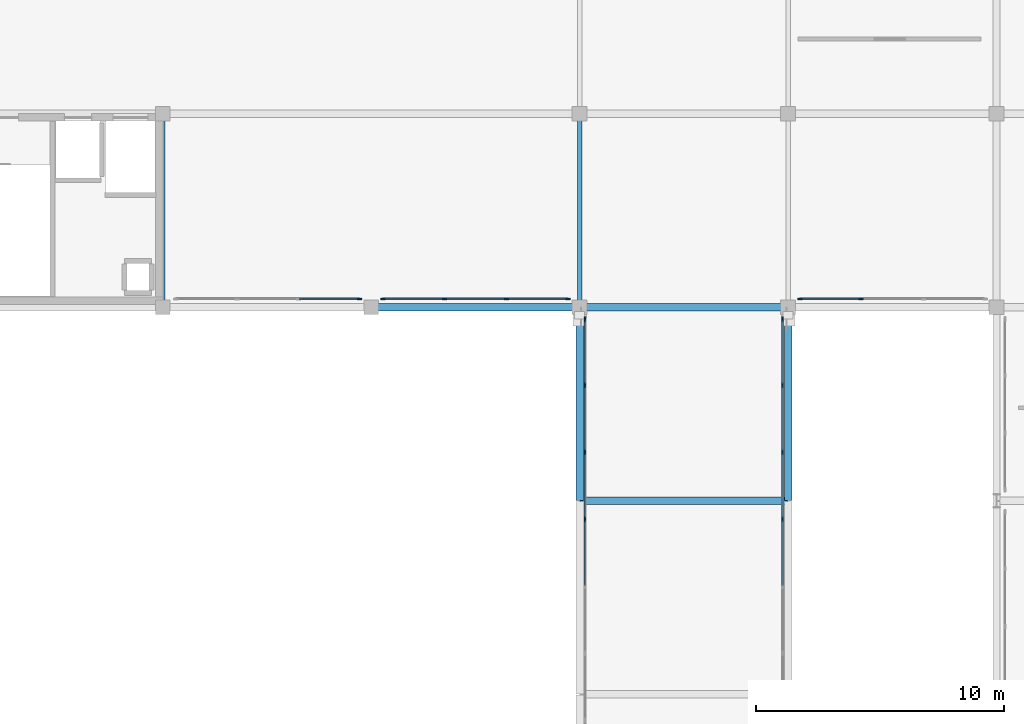
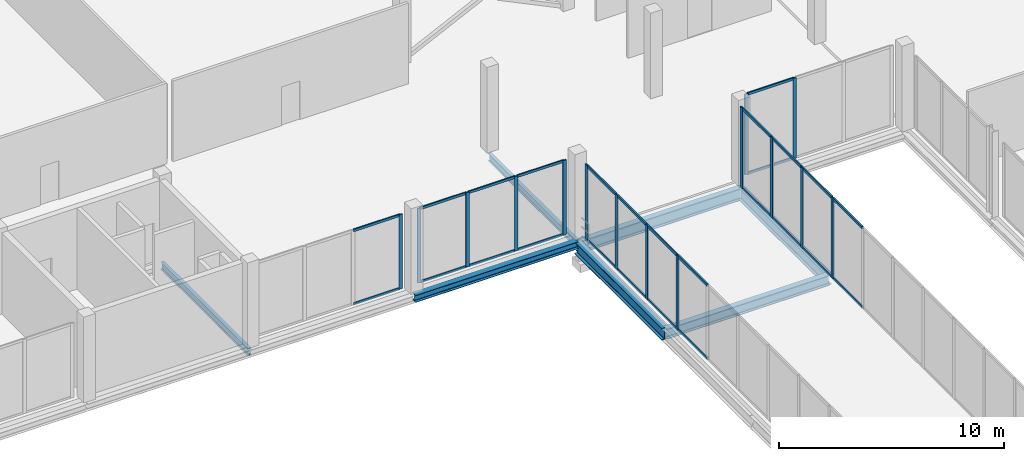
# One storey, part 42 of 98: 41 members, 7 beams, 5 elements without a shape of their own.
"""IFC4 building model written with IfcOpenShell, lengths in metres."""

from ifc_helpers import new_model, si_unit, direction, frame, origin, origin_2d, place, context, subcontext, project, spatial, rectangle, i_section, extrude, material, material_profile, profile_set, type_object, element, aggregate, save


model = new_model("IFC4")

# Units and contexts
model_context = context("Model", 3, precision=1e-05, world=origin(), true_north=direction((0.0, 1.0)))
body_context = subcontext(model_context, "Body", "Model", "MODEL_VIEW")
ifc_project = project(units=[si_unit("LENGTHUNIT", "METRE"), si_unit("AREAUNIT", "SQUARE_METRE"), si_unit("VOLUMEUNIT", "CUBIC_METRE"), si_unit("PLANEANGLEUNIT", "RADIAN"), si_unit("MASSUNIT", "GRAM", prefix="KILO")], contexts=[model_context])

# Site, building, storey
site_placement = place(None, origin())
site = spatial("IfcSite", under=ifc_project, at=site_placement, CompositionType="ELEMENT")
building_placement = place(site_placement, origin())
building = spatial("IfcBuilding", under=site, at=building_placement, Name="Nabrawat Pavilion Hospital", CompositionType="ELEMENT")
storey_placement = place(building_placement, frame((0.0, 0.0, 10.199951171875)))
storey = spatial("IfcBuildingStorey", under=building, at=storey_placement, Name="L02", CompositionType="ELEMENT", Elevation=10.199951171875)

# Beams
ifc_material_1 = material(Name="Steel S355", Category="steel")
ifc_material_profile_1 = material_profile(ifc_material_1, i_section(OverallWidth=0.300048828125, OverallDepth=0.64990234375, WebThickness=0.01611328125, FlangeThickness=0.031005859375, FilletRadius=0.027099609375, at=origin_2d()), Name="HEB 650")
ifc_profile_set_1 = profile_set([ifc_material_profile_1], Name="Steel S355")
beam_type_1 = type_object("IfcBeamType", Name="Courtyard Link Bridge Edge Girder HEB 650", PredefinedType="USERDEFINED", material=ifc_profile_set_1)
beam_1_placement = place(storey_placement, frame((109.219970703125, 85.800048828125, -0.614990234375), z_axis=(1.0, 0.0, 0.0), x_axis=(0.0, 1.0, 0.0)))
element("IfcBeam", 1, at=beam_1_placement, inside=storey, type_object=beam_type_1, Name="L02 Courtyard Link Bridge Girder 1090", ObjectType="GIRDER", PredefinedType="USERDEFINED", context=body_context, shape_type="SweptSolid", body=[
    extrude(i_section(OverallWidth=0.300048828125, OverallDepth=0.64990234375, WebThickness=0.01611328125, FlangeThickness=0.031005859375, FilletRadius=0.027099609375, at=origin_2d()), origin(), (0.0, 0.0, 1.0), 8.360107421875),
])
for number, where, z_axis, x_axis, name in (
    (2, (109.199951171875, 78.02001953125, -0.614990234375), (0.0, 1.0, 0.0), (-1.0, 0.0, 0.0), "L02 Courtyard Link Bridge Edge Girder 1262"),
    (3, (117.60009765625, 78.02001953125, -0.614990234375), (0.0, 1.0, 0.0), (-1.0, 0.0, 0.0), "L02 Courtyard Link Bridge Edge Girder 1271"),
):
    element("IfcBeam", number, at=place(storey_placement, frame(where, z_axis=z_axis, x_axis=x_axis)), inside=storey, type_object=beam_type_1, Name=name, ObjectType="GIRDER", PredefinedType="USERDEFINED", context=body_context, shape_type="SweptSolid", body=[
        extrude(i_section(OverallWidth=0.300048828125, OverallDepth=0.64990234375, WebThickness=0.01611328125, FlangeThickness=0.031005859375, FilletRadius=0.027099609375, at=origin_2d()), origin(), (0.0, 0.0, 1.0), 7.760009765625),
    ])

# Curtain wall, members
ifc_material_2 = material(Name="Anodised Aluminium", Category="aluminium")
curtain_wall_type_1 = type_object("IfcCurtainWallType", Name="Courtyard Link Bridge Glazed Curtain Wall", PredefinedType="USERDEFINED", material=ifc_material_2)
curtain_wall_1_placement = place(storey_placement, origin())
curtain_wall_1 = element("IfcCurtainWall", 4, at=curtain_wall_1_placement, inside=storey, type_object=curtain_wall_type_1, Name="L02 Courtyard Link Bridge Glazed Curtain Wall 126", ObjectType="CURTAIN WALL", PredefinedType="USERDEFINED")
ifc_material_profile_2 = material_profile(ifc_material_2, rectangle(XDim=0.070068359375, YDim=0.199951171875, at=origin_2d()), Name="CWM 70x200")
ifc_profile_set_2 = profile_set([ifc_material_profile_2], Name="Anodised Aluminium")
member_type_1 = type_object("IfcMemberType", Name="Courtyard Link Bridge Glazed Curtain Wall Mullion CWM 70x200", PredefinedType="MULLION", material=ifc_profile_set_2)
member_1_placement = place(storey_placement, frame((109.419921875, 77.256591796875, 0.0), z_axis=(0.0, 0.0, 1.0), x_axis=(-1.0, 0.0, 0.0)))
member_1 = element("IfcMember", 5, at=member_1_placement, type_object=member_type_1, Name="CW-BRG-01 mullion 15", PredefinedType="MULLION", context=body_context, shape_type="SweptSolid", body=[
    extrude(rectangle(XDim=0.070068359375, YDim=0.199951171875, at=origin_2d()), origin(), (0.0, 0.0, 1.0), 4.0400390625),
])
member_2_placement = place(storey_placement, frame((109.419921875, 79.957763671875, 0.0), z_axis=(0.0, 0.0, 1.0), x_axis=(-1.0, 0.0, 0.0)))
member_2 = element("IfcMember", 6, at=member_2_placement, type_object=member_type_1, Name="CW-BRG-01 mullion 16", PredefinedType="MULLION", context=body_context, shape_type="SweptSolid", body=[
    extrude(rectangle(XDim=0.070068359375, YDim=0.199951171875, at=origin_2d()), origin(), (0.0, 0.0, 1.0), 4.0400390625),
])
member_3_placement = place(storey_placement, frame((109.419921875, 82.658935546875, 0.0), z_axis=(0.0, 0.0, 1.0), x_axis=(-1.0, 0.0, 0.0)))
member_3 = element("IfcMember", 7, at=member_3_placement, type_object=member_type_1, Name="CW-BRG-01 mullion 17", PredefinedType="MULLION", context=body_context, shape_type="SweptSolid", body=[
    extrude(rectangle(XDim=0.070068359375, YDim=0.199951171875, at=origin_2d()), origin(), (0.0, 0.0, 1.0), 4.0400390625),
])
member_4_placement = place(storey_placement, frame((109.419921875, 85.324951171875, 0.0), z_axis=(0.0, 0.0, 1.0), x_axis=(-1.0, 0.0, 0.0)))
member_4 = element("IfcMember", 8, at=member_4_placement, type_object=member_type_1, Name="CW-BRG-01 mullion 18", PredefinedType="MULLION", context=body_context, shape_type="SweptSolid", body=[
    extrude(rectangle(XDim=0.070068359375, YDim=0.199951171875, at=origin_2d()), origin(), (0.0, 0.0, 1.0), 4.0400390625),
])

curtain_wall_2_placement = place(storey_placement, origin())
curtain_wall_2 = element("IfcCurtainWall", 9, at=curtain_wall_2_placement, inside=storey, type_object=curtain_wall_type_1, Name="L02 Courtyard Link Bridge Glazed Curtain Wall 127", ObjectType="CURTAIN WALL", PredefinedType="USERDEFINED")
member_5_placement = place(storey_placement, frame((117.3798828125, 77.256591796875, 0.0), z_axis=(0.0, 0.0, 1.0), x_axis=(-1.0, 0.0, 0.0)))
member_5 = element("IfcMember", 10, at=member_5_placement, type_object=member_type_1, Name="CW-BRG-01 mullion 15", PredefinedType="MULLION", context=body_context, shape_type="SweptSolid", body=[
    extrude(rectangle(XDim=0.070068359375, YDim=0.199951171875, at=origin_2d()), origin(), (0.0, 0.0, 1.0), 4.3701171875),
])
member_6_placement = place(storey_placement, frame((117.3798828125, 79.957763671875, 0.0), z_axis=(0.0, 0.0, 1.0), x_axis=(-1.0, 0.0, 0.0)))
member_6 = element("IfcMember", 11, at=member_6_placement, type_object=member_type_1, Name="CW-BRG-01 mullion 16", PredefinedType="MULLION", context=body_context, shape_type="SweptSolid", body=[
    extrude(rectangle(XDim=0.070068359375, YDim=0.199951171875, at=origin_2d()), origin(), (0.0, 0.0, 1.0), 4.3701171875),
])
member_7_placement = place(storey_placement, frame((117.3798828125, 82.658935546875, 0.0), z_axis=(0.0, 0.0, 1.0), x_axis=(-1.0, 0.0, 0.0)))
member_7 = element("IfcMember", 12, at=member_7_placement, type_object=member_type_1, Name="CW-BRG-01 mullion 17", PredefinedType="MULLION", context=body_context, shape_type="SweptSolid", body=[
    extrude(rectangle(XDim=0.070068359375, YDim=0.199951171875, at=origin_2d()), origin(), (0.0, 0.0, 1.0), 4.3701171875),
])
member_8_placement = place(storey_placement, frame((117.3798828125, 85.324951171875, 0.0), z_axis=(0.0, 0.0, 1.0), x_axis=(-1.0, 0.0, 0.0)))
member_8 = element("IfcMember", 13, at=member_8_placement, type_object=member_type_1, Name="CW-BRG-01 mullion 18", PredefinedType="MULLION", context=body_context, shape_type="SweptSolid", body=[
    extrude(rectangle(XDim=0.070068359375, YDim=0.199951171875, at=origin_2d()), origin(), (0.0, 0.0, 1.0), 4.3701171875),
])

# Member
ifc_material_profile_3 = material_profile(ifc_material_2, rectangle(XDim=0.070068359375, YDim=0.14990234375, at=origin_2d()), Name="CWT 70x150")
ifc_profile_set_3 = profile_set([ifc_material_profile_3], Name="Anodised Aluminium")
member_type_2 = type_object("IfcMemberType", Name="Courtyard Link Bridge Glazed Curtain Wall Transom CWT 70x150", PredefinedType="USERDEFINED", material=ifc_profile_set_3)
member_9_placement = place(storey_placement, frame((109.419921875, 74.59033203125, 0.03515625), z_axis=(0.0, 1.0, 0.0), x_axis=(-1.0, 0.0, 0.0)))
member_9 = element("IfcMember", 14, at=member_9_placement, type_object=member_type_2, Name="CW-BRG-01 transom 14.1", ObjectType="TRANSOM", PredefinedType="USERDEFINED", context=body_context, shape_type="SweptSolid", body=[
    extrude(rectangle(XDim=0.070068359375, YDim=0.14990234375, at=origin_2d()), origin(), (0.0, 0.0, 1.0), 2.631103515625),
])

member_10_placement = place(storey_placement, frame((109.419921875, 74.59033203125, 4.005126953125), z_axis=(0.0, 1.0, 0.0), x_axis=(-1.0, 0.0, 0.0)))
member_10 = element("IfcMember", 15, at=member_10_placement, type_object=member_type_2, Name="CW-BRG-01 transom 14.2", ObjectType="TRANSOM", PredefinedType="USERDEFINED", context=body_context, shape_type="SweptSolid", body=[
    extrude(rectangle(XDim=0.070068359375, YDim=0.14990234375, at=origin_2d()), origin(), (0.0, 0.0, 1.0), 2.631103515625),
])

member_11_placement = place(storey_placement, frame((109.419921875, 77.29150390625, 0.03515625), z_axis=(0.0, 1.0, 0.0), x_axis=(-1.0, 0.0, 0.0)))
member_11 = element("IfcMember", 16, at=member_11_placement, type_object=member_type_2, Name="CW-BRG-01 transom 15.1", ObjectType="TRANSOM", PredefinedType="USERDEFINED", context=body_context, shape_type="SweptSolid", body=[
    extrude(rectangle(XDim=0.070068359375, YDim=0.14990234375, at=origin_2d()), origin(), (0.0, 0.0, 1.0), 2.631103515625),
])

member_12_placement = place(storey_placement, frame((109.419921875, 77.29150390625, 4.005126953125), z_axis=(0.0, 1.0, 0.0), x_axis=(-1.0, 0.0, 0.0)))
member_12 = element("IfcMember", 17, at=member_12_placement, type_object=member_type_2, Name="CW-BRG-01 transom 15.2", ObjectType="TRANSOM", PredefinedType="USERDEFINED", context=body_context, shape_type="SweptSolid", body=[
    extrude(rectangle(XDim=0.070068359375, YDim=0.14990234375, at=origin_2d()), origin(), (0.0, 0.0, 1.0), 2.631103515625),
])

member_13_placement = place(storey_placement, frame((109.419921875, 79.99267578125, 0.03515625), z_axis=(0.0, 1.0, 0.0), x_axis=(-1.0, 0.0, 0.0)))
member_13 = element("IfcMember", 18, at=member_13_placement, type_object=member_type_2, Name="CW-BRG-01 transom 16.1", ObjectType="TRANSOM", PredefinedType="USERDEFINED", context=body_context, shape_type="SweptSolid", body=[
    extrude(rectangle(XDim=0.070068359375, YDim=0.14990234375, at=origin_2d()), origin(), (0.0, 0.0, 1.0), 2.631103515625),
])

member_14_placement = place(storey_placement, frame((109.419921875, 79.99267578125, 4.005126953125), z_axis=(0.0, 1.0, 0.0), x_axis=(-1.0, 0.0, 0.0)))
member_14 = element("IfcMember", 19, at=member_14_placement, type_object=member_type_2, Name="CW-BRG-01 transom 16.2", ObjectType="TRANSOM", PredefinedType="USERDEFINED", context=body_context, shape_type="SweptSolid", body=[
    extrude(rectangle(XDim=0.070068359375, YDim=0.14990234375, at=origin_2d()), origin(), (0.0, 0.0, 1.0), 2.631103515625),
])

member_15_placement = place(storey_placement, frame((109.419921875, 82.69384765625, 0.03515625), z_axis=(0.0, 1.0, 0.0), x_axis=(-1.0, 0.0, 0.0)))
member_15 = element("IfcMember", 20, at=member_15_placement, type_object=member_type_2, Name="CW-BRG-01 transom 17.1", ObjectType="TRANSOM", PredefinedType="USERDEFINED", context=body_context, shape_type="SweptSolid", body=[
    extrude(rectangle(XDim=0.070068359375, YDim=0.14990234375, at=origin_2d()), origin(), (0.0, 0.0, 1.0), 2.59619140625),
])

member_16_placement = place(storey_placement, frame((109.419921875, 82.69384765625, 4.005126953125), z_axis=(0.0, 1.0, 0.0), x_axis=(-1.0, 0.0, 0.0)))
member_16 = element("IfcMember", 21, at=member_16_placement, type_object=member_type_2, Name="CW-BRG-01 transom 17.2", ObjectType="TRANSOM", PredefinedType="USERDEFINED", context=body_context, shape_type="SweptSolid", body=[
    extrude(rectangle(XDim=0.070068359375, YDim=0.14990234375, at=origin_2d()), origin(), (0.0, 0.0, 1.0), 2.59619140625),
])

aggregate(curtain_wall_1, [member_1, member_2, member_3, member_4, member_9, member_10, member_11, member_12, member_13, member_14, member_15, member_16])

member_17_placement = place(storey_placement, frame((117.3798828125, 74.59033203125, 0.03515625), z_axis=(0.0, 1.0, 0.0), x_axis=(-1.0, 0.0, 0.0)))
member_17 = element("IfcMember", 22, at=member_17_placement, type_object=member_type_2, Name="CW-BRG-01 transom 14.1", ObjectType="TRANSOM", PredefinedType="USERDEFINED", context=body_context, shape_type="SweptSolid", body=[
    extrude(rectangle(XDim=0.070068359375, YDim=0.14990234375, at=origin_2d()), origin(), (0.0, 0.0, 1.0), 2.631103515625),
])

member_18_placement = place(storey_placement, frame((117.3798828125, 74.59033203125, 4.3349609375), z_axis=(0.0, 1.0, 0.0), x_axis=(-1.0, 0.0, 0.0)))
member_18 = element("IfcMember", 23, at=member_18_placement, type_object=member_type_2, Name="CW-BRG-01 transom 14.2", ObjectType="TRANSOM", PredefinedType="USERDEFINED", context=body_context, shape_type="SweptSolid", body=[
    extrude(rectangle(XDim=0.070068359375, YDim=0.14990234375, at=origin_2d()), origin(), (0.0, 0.0, 1.0), 2.631103515625),
])

member_19_placement = place(storey_placement, frame((117.3798828125, 77.29150390625, 0.03515625), z_axis=(0.0, 1.0, 0.0), x_axis=(-1.0, 0.0, 0.0)))
member_19 = element("IfcMember", 24, at=member_19_placement, type_object=member_type_2, Name="CW-BRG-01 transom 15.1", ObjectType="TRANSOM", PredefinedType="USERDEFINED", context=body_context, shape_type="SweptSolid", body=[
    extrude(rectangle(XDim=0.070068359375, YDim=0.14990234375, at=origin_2d()), origin(), (0.0, 0.0, 1.0), 2.631103515625),
])

member_20_placement = place(storey_placement, frame((117.3798828125, 77.29150390625, 4.3349609375), z_axis=(0.0, 1.0, 0.0), x_axis=(-1.0, 0.0, 0.0)))
member_20 = element("IfcMember", 25, at=member_20_placement, type_object=member_type_2, Name="CW-BRG-01 transom 15.2", ObjectType="TRANSOM", PredefinedType="USERDEFINED", context=body_context, shape_type="SweptSolid", body=[
    extrude(rectangle(XDim=0.070068359375, YDim=0.14990234375, at=origin_2d()), origin(), (0.0, 0.0, 1.0), 2.631103515625),
])

member_21_placement = place(storey_placement, frame((117.3798828125, 79.99267578125, 0.03515625), z_axis=(0.0, 1.0, 0.0), x_axis=(-1.0, 0.0, 0.0)))
member_21 = element("IfcMember", 26, at=member_21_placement, type_object=member_type_2, Name="CW-BRG-01 transom 16.1", ObjectType="TRANSOM", PredefinedType="USERDEFINED", context=body_context, shape_type="SweptSolid", body=[
    extrude(rectangle(XDim=0.070068359375, YDim=0.14990234375, at=origin_2d()), origin(), (0.0, 0.0, 1.0), 2.631103515625),
])

member_22_placement = place(storey_placement, frame((117.3798828125, 79.99267578125, 4.3349609375), z_axis=(0.0, 1.0, 0.0), x_axis=(-1.0, 0.0, 0.0)))
member_22 = element("IfcMember", 27, at=member_22_placement, type_object=member_type_2, Name="CW-BRG-01 transom 16.2", ObjectType="TRANSOM", PredefinedType="USERDEFINED", context=body_context, shape_type="SweptSolid", body=[
    extrude(rectangle(XDim=0.070068359375, YDim=0.14990234375, at=origin_2d()), origin(), (0.0, 0.0, 1.0), 2.631103515625),
])

member_23_placement = place(storey_placement, frame((117.3798828125, 82.69384765625, 0.03515625), z_axis=(0.0, 1.0, 0.0), x_axis=(-1.0, 0.0, 0.0)))
member_23 = element("IfcMember", 28, at=member_23_placement, type_object=member_type_2, Name="CW-BRG-01 transom 17.1", ObjectType="TRANSOM", PredefinedType="USERDEFINED", context=body_context, shape_type="SweptSolid", body=[
    extrude(rectangle(XDim=0.070068359375, YDim=0.14990234375, at=origin_2d()), origin(), (0.0, 0.0, 1.0), 2.59619140625),
])

member_24_placement = place(storey_placement, frame((117.3798828125, 82.69384765625, 4.3349609375), z_axis=(0.0, 1.0, 0.0), x_axis=(-1.0, 0.0, 0.0)))
member_24 = element("IfcMember", 29, at=member_24_placement, type_object=member_type_2, Name="CW-BRG-01 transom 17.2", ObjectType="TRANSOM", PredefinedType="USERDEFINED", context=body_context, shape_type="SweptSolid", body=[
    extrude(rectangle(XDim=0.070068359375, YDim=0.14990234375, at=origin_2d()), origin(), (0.0, 0.0, 1.0), 2.59619140625),
])

aggregate(curtain_wall_2, [member_5, member_6, member_7, member_8, member_17, member_18, member_19, member_20, member_21, member_22, member_23, member_24])

# Curtain wall, member
curtain_wall_type_2 = type_object("IfcCurtainWallType", Name="Healing Garden Cloister Curtain Wall", PredefinedType="USERDEFINED", material=ifc_material_2)
curtain_wall_3_placement = place(storey_placement, origin())
curtain_wall_3 = element("IfcCurtainWall", 30, at=curtain_wall_3_placement, inside=storey, type_object=curtain_wall_type_2, Name="L02 Healing Garden Cloister Curtain Wall 124", ObjectType="CURTAIN WALL", PredefinedType="USERDEFINED")
ifc_material_profile_4 = material_profile(ifc_material_2, rectangle(XDim=0.06494140625, YDim=0.179931640625, at=origin_2d()), Name="CWM 65x180")
ifc_profile_set_4 = profile_set([ifc_material_profile_4], Name="Anodised Aluminium")
member_type_3 = type_object("IfcMemberType", Name="Healing Garden Cloister Curtain Wall Mullion CWM 65x180", PredefinedType="MULLION", material=ifc_profile_set_4)
member_25_placement = place(storey_placement, frame((100.327392578125, 86.139892578125, 0.0), z_axis=(0.0, 0.0, 1.0), x_axis=(0.0, 1.0, 0.0)))
member_25 = element("IfcMember", 31, at=member_25_placement, type_object=member_type_3, Name="CW-CLN-01 mullion 4", PredefinedType="MULLION", context=body_context, shape_type="SweptSolid", body=[
    extrude(rectangle(XDim=0.06494140625, YDim=0.179931640625, at=origin_2d()), origin(), (0.0, 0.0, 1.0), 4.0400390625),
])

# Curtain wall, members
curtain_wall_4_placement = place(storey_placement, origin())
curtain_wall_4 = element("IfcCurtainWall", 32, at=curtain_wall_4_placement, inside=storey, type_object=curtain_wall_type_2, Name="L02 Healing Garden Cloister Curtain Wall 125", ObjectType="CURTAIN WALL", PredefinedType="USERDEFINED")
member_26_placement = place(storey_placement, frame((101.2724609375, 86.139892578125, 0.0), z_axis=(0.0, 0.0, 1.0), x_axis=(0.0, 1.0, 0.0)))
member_26 = element("IfcMember", 33, at=member_26_placement, type_object=member_type_3, Name="CW-CLN-01 mullion 1", PredefinedType="MULLION", context=body_context, shape_type="SweptSolid", body=[
    extrude(rectangle(XDim=0.06494140625, YDim=0.179931640625, at=origin_2d()), origin(), (0.0, 0.0, 1.0), 4.0400390625),
])
member_27_placement = place(storey_placement, frame((103.74658203125, 86.139892578125, 0.0), z_axis=(0.0, 0.0, 1.0), x_axis=(0.0, 1.0, 0.0)))
member_27 = element("IfcMember", 34, at=member_27_placement, type_object=member_type_3, Name="CW-CLN-01 mullion 2", PredefinedType="MULLION", context=body_context, shape_type="SweptSolid", body=[
    extrude(rectangle(XDim=0.06494140625, YDim=0.179931640625, at=origin_2d()), origin(), (0.0, 0.0, 1.0), 4.0400390625),
])
member_28_placement = place(storey_placement, frame((106.25341796875, 86.139892578125, 0.0), z_axis=(0.0, 0.0, 1.0), x_axis=(0.0, 1.0, 0.0)))
member_28 = element("IfcMember", 35, at=member_28_placement, type_object=member_type_3, Name="CW-CLN-01 mullion 3", PredefinedType="MULLION", context=body_context, shape_type="SweptSolid", body=[
    extrude(rectangle(XDim=0.06494140625, YDim=0.179931640625, at=origin_2d()), origin(), (0.0, 0.0, 1.0), 4.0400390625),
])
member_29_placement = place(storey_placement, frame((108.7275390625, 86.139892578125, 0.0), z_axis=(0.0, 0.0, 1.0), x_axis=(0.0, 1.0, 0.0)))
member_29 = element("IfcMember", 36, at=member_29_placement, type_object=member_type_3, Name="CW-CLN-01 mullion 4", PredefinedType="MULLION", context=body_context, shape_type="SweptSolid", body=[
    extrude(rectangle(XDim=0.06494140625, YDim=0.179931640625, at=origin_2d()), origin(), (0.0, 0.0, 1.0), 4.0400390625),
])

curtain_wall_5_placement = place(storey_placement, origin())
curtain_wall_5 = element("IfcCurtainWall", 37, at=curtain_wall_5_placement, inside=storey, type_object=curtain_wall_type_2, Name="L02 Healing Garden Cloister Curtain Wall 129", ObjectType="CURTAIN WALL", PredefinedType="USERDEFINED")
member_30_placement = place(storey_placement, frame((118.072509765625, 86.139892578125, 0.0), z_axis=(0.0, 0.0, 1.0), x_axis=(0.0, 1.0, 0.0)))
member_30 = element("IfcMember", 38, at=member_30_placement, type_object=member_type_3, Name="CW-CLN-01 mullion 1", PredefinedType="MULLION", context=body_context, shape_type="SweptSolid", body=[
    extrude(rectangle(XDim=0.06494140625, YDim=0.179931640625, at=origin_2d()), origin(), (0.0, 0.0, 1.0), 4.3701171875),
])
member_31_placement = place(storey_placement, frame((120.546630859375, 86.139892578125, 0.0), z_axis=(0.0, 0.0, 1.0), x_axis=(0.0, 1.0, 0.0)))
member_31 = element("IfcMember", 39, at=member_31_placement, type_object=member_type_3, Name="CW-CLN-01 mullion 2", PredefinedType="MULLION", context=body_context, shape_type="SweptSolid", body=[
    extrude(rectangle(XDim=0.06494140625, YDim=0.179931640625, at=origin_2d()), origin(), (0.0, 0.0, 1.0), 4.3701171875),
])

# Member
ifc_material_profile_5 = material_profile(ifc_material_2, rectangle(XDim=0.06494140625, YDim=0.135009765625, at=origin_2d()), Name="CWT 65x135")
ifc_profile_set_5 = profile_set([ifc_material_profile_5], Name="Anodised Aluminium")
member_type_4 = type_object("IfcMemberType", Name="Healing Garden Cloister Curtain Wall Transom CWT 65x135", PredefinedType="USERDEFINED", material=ifc_profile_set_5)
member_32_placement = place(storey_placement, frame((97.90576171875, 86.139892578125, 0.032470703125), z_axis=(1.0, 0.0, 0.0), x_axis=(0.0, 1.0, 0.0)))
member_32 = element("IfcMember", 40, at=member_32_placement, type_object=member_type_4, Name="CW-CLN-01 transom 3.1", ObjectType="TRANSOM", PredefinedType="USERDEFINED", context=body_context, shape_type="SweptSolid", body=[
    extrude(rectangle(XDim=0.06494140625, YDim=0.135009765625, at=origin_2d()), origin(), (0.0, 0.0, 1.0), 2.38916015625),
])

member_33_placement = place(storey_placement, frame((97.90576171875, 86.139892578125, 4.007568359375), z_axis=(1.0, 0.0, 0.0), x_axis=(0.0, 1.0, 0.0)))
member_33 = element("IfcMember", 41, at=member_33_placement, type_object=member_type_4, Name="CW-CLN-01 transom 3.2", ObjectType="TRANSOM", PredefinedType="USERDEFINED", context=body_context, shape_type="SweptSolid", body=[
    extrude(rectangle(XDim=0.06494140625, YDim=0.135009765625, at=origin_2d()), origin(), (0.0, 0.0, 1.0), 2.38916015625),
])

aggregate(curtain_wall_3, [member_25, member_32, member_33])

member_34_placement = place(storey_placement, frame((101.304931640625, 86.139892578125, 0.032470703125), z_axis=(1.0, 0.0, 0.0), x_axis=(0.0, 1.0, 0.0)))
member_34 = element("IfcMember", 42, at=member_34_placement, type_object=member_type_4, Name="CW-CLN-01 transom 1.1", ObjectType="TRANSOM", PredefinedType="USERDEFINED", context=body_context, shape_type="SweptSolid", body=[
    extrude(rectangle(XDim=0.06494140625, YDim=0.135009765625, at=origin_2d()), origin(), (0.0, 0.0, 1.0), 2.4091796875),
])

member_35_placement = place(storey_placement, frame((101.304931640625, 86.139892578125, 4.007568359375), z_axis=(1.0, 0.0, 0.0), x_axis=(0.0, 1.0, 0.0)))
member_35 = element("IfcMember", 43, at=member_35_placement, type_object=member_type_4, Name="CW-CLN-01 transom 1.2", ObjectType="TRANSOM", PredefinedType="USERDEFINED", context=body_context, shape_type="SweptSolid", body=[
    extrude(rectangle(XDim=0.06494140625, YDim=0.135009765625, at=origin_2d()), origin(), (0.0, 0.0, 1.0), 2.4091796875),
])

member_36_placement = place(storey_placement, frame((103.779052734375, 86.139892578125, 0.032470703125), z_axis=(1.0, 0.0, 0.0), x_axis=(0.0, 1.0, 0.0)))
member_36 = element("IfcMember", 44, at=member_36_placement, type_object=member_type_4, Name="CW-CLN-01 transom 2.1", ObjectType="TRANSOM", PredefinedType="USERDEFINED", context=body_context, shape_type="SweptSolid", body=[
    extrude(rectangle(XDim=0.06494140625, YDim=0.135009765625, at=origin_2d()), origin(), (0.0, 0.0, 1.0), 2.44189453125),
])

member_37_placement = place(storey_placement, frame((103.779052734375, 86.139892578125, 4.007568359375), z_axis=(1.0, 0.0, 0.0), x_axis=(0.0, 1.0, 0.0)))
member_37 = element("IfcMember", 45, at=member_37_placement, type_object=member_type_4, Name="CW-CLN-01 transom 2.2", ObjectType="TRANSOM", PredefinedType="USERDEFINED", context=body_context, shape_type="SweptSolid", body=[
    extrude(rectangle(XDim=0.06494140625, YDim=0.135009765625, at=origin_2d()), origin(), (0.0, 0.0, 1.0), 2.44189453125),
])

member_38_placement = place(storey_placement, frame((106.285888671875, 86.139892578125, 0.032470703125), z_axis=(1.0, 0.0, 0.0), x_axis=(0.0, 1.0, 0.0)))
member_38 = element("IfcMember", 46, at=member_38_placement, type_object=member_type_4, Name="CW-CLN-01 transom 3.1", ObjectType="TRANSOM", PredefinedType="USERDEFINED", context=body_context, shape_type="SweptSolid", body=[
    extrude(rectangle(XDim=0.06494140625, YDim=0.135009765625, at=origin_2d()), origin(), (0.0, 0.0, 1.0), 2.4091796875),
])

member_39_placement = place(storey_placement, frame((106.285888671875, 86.139892578125, 4.007568359375), z_axis=(1.0, 0.0, 0.0), x_axis=(0.0, 1.0, 0.0)))
member_39 = element("IfcMember", 47, at=member_39_placement, type_object=member_type_4, Name="CW-CLN-01 transom 3.2", ObjectType="TRANSOM", PredefinedType="USERDEFINED", context=body_context, shape_type="SweptSolid", body=[
    extrude(rectangle(XDim=0.06494140625, YDim=0.135009765625, at=origin_2d()), origin(), (0.0, 0.0, 1.0), 2.4091796875),
])

aggregate(curtain_wall_4, [member_26, member_27, member_28, member_29, member_34, member_35, member_36, member_37, member_38, member_39])

member_40_placement = place(storey_placement, frame((118.10498046875, 86.139892578125, 0.032470703125), z_axis=(1.0, 0.0, 0.0), x_axis=(0.0, 1.0, 0.0)))
member_40 = element("IfcMember", 48, at=member_40_placement, type_object=member_type_4, Name="CW-CLN-01 transom 1.1", ObjectType="TRANSOM", PredefinedType="USERDEFINED", context=body_context, shape_type="SweptSolid", body=[
    extrude(rectangle(XDim=0.06494140625, YDim=0.135009765625, at=origin_2d()), origin(), (0.0, 0.0, 1.0), 2.4091796875),
])

member_41_placement = place(storey_placement, frame((118.10498046875, 86.139892578125, 4.337646484375), z_axis=(1.0, 0.0, 0.0), x_axis=(0.0, 1.0, 0.0)))
member_41 = element("IfcMember", 49, at=member_41_placement, type_object=member_type_4, Name="CW-CLN-01 transom 1.2", ObjectType="TRANSOM", PredefinedType="USERDEFINED", context=body_context, shape_type="SweptSolid", body=[
    extrude(rectangle(XDim=0.06494140625, YDim=0.135009765625, at=origin_2d()), origin(), (0.0, 0.0, 1.0), 2.4091796875),
])

aggregate(curtain_wall_5, [member_30, member_31, member_40, member_41])

# Beams
ifc_material_profile_6 = material_profile(ifc_material_1, i_section(OverallWidth=0.300048828125, OverallDepth=0.389892578125, WebThickness=0.010986328125, FlangeThickness=0.01904296875, FilletRadius=0.027099609375, at=origin_2d()), Name="HEA 400")
ifc_profile_set_6 = profile_set([ifc_material_profile_6], Name="Steel S355")
beam_type_2 = type_object("IfcBeamType", Name="Perimeter Moment Spandrel Beam HEA 400", PredefinedType="SPANDREL", material=ifc_profile_set_6)
beam_2_placement = place(storey_placement, frame((100.820068359375, 85.800048828125, -0.445068359375), z_axis=(1.0, 0.0, 0.0), x_axis=(0.0, 1.0, 0.0)))
element("IfcBeam", 50, at=beam_2_placement, inside=storey, type_object=beam_type_2, Name="L02 Primary X Girder 1089", PredefinedType="SPANDREL", context=body_context, shape_type="SweptSolid", body=[
    extrude(i_section(OverallWidth=0.300048828125, OverallDepth=0.389892578125, WebThickness=0.010986328125, FlangeThickness=0.01904296875, FilletRadius=0.027099609375, at=origin_2d()), origin(), (0.0, 0.0, 1.0), 8.35986328125),
])
ifc_material_profile_7 = material_profile(ifc_material_1, i_section(OverallWidth=0.300048828125, OverallDepth=0.550048828125, WebThickness=0.014892578125, FlangeThickness=0.029052734375, FilletRadius=0.027099609375, at=origin_2d()), Name="HEB 550")
ifc_profile_set_7 = profile_set([ifc_material_profile_7], Name="Steel S355")
beam_type_3 = type_object("IfcBeamType", Name="Primary Floor Girder HEB 550", PredefinedType="USERDEFINED", material=ifc_profile_set_7)
beam_3_placement = place(storey_placement, frame((109.219970703125, 78.0, -0.56494140625), z_axis=(1.0, 0.0, 0.0), x_axis=(0.0, 1.0, 0.0)))
element("IfcBeam", 51, at=beam_3_placement, inside=storey, type_object=beam_type_3, Name="L02 Courtyard Link Bridge Girder 1068", ObjectType="GIRDER", PredefinedType="USERDEFINED", context=body_context, shape_type="SweptSolid", body=[
    extrude(i_section(OverallWidth=0.300048828125, OverallDepth=0.550048828125, WebThickness=0.014892578125, FlangeThickness=0.029052734375, FilletRadius=0.027099609375, at=origin_2d()), origin(), (0.0, 0.0, 1.0), 8.360107421875),
])
ifc_material_profile_8 = material_profile(ifc_material_1, i_section(OverallWidth=0.179931640625, OverallDepth=0.39990234375, WebThickness=0.008544921875, FlangeThickness=0.013427734375, FilletRadius=0.02099609375, at=origin_2d()), Name="IPE 400")
ifc_profile_set_8 = profile_set([ifc_material_profile_8], Name="Steel S355")
beam_type_4 = type_object("IfcBeamType", Name="Standard Y Floor Beam IPE 400", PredefinedType="BEAM", material=ifc_profile_set_8)
for number, where, z_axis, x_axis, name in (
    (52, (92.39990234375, 85.820068359375, -0.449951171875), (0.0, 1.0, 0.0), (-1.0, 0.0, 0.0), "L02 Primary Y Beam 1257"),
    (53, (109.199951171875, 85.820068359375, -0.449951171875), (0.0, 1.0, 0.0), (-1.0, 0.0, 0.0), "L02 Primary Y Beam 1263"),
):
    element("IfcBeam", number, at=place(storey_placement, frame(where, z_axis=z_axis, x_axis=x_axis)), inside=storey, type_object=beam_type_4, Name=name, PredefinedType="BEAM", context=body_context, shape_type="SweptSolid", body=[
        extrude(i_section(OverallWidth=0.179931640625, OverallDepth=0.39990234375, WebThickness=0.008544921875, FlangeThickness=0.013427734375, FilletRadius=0.02099609375, at=origin_2d()), origin(), (0.0, 0.0, 1.0), 7.760009765625),
    ])

save(model, "model.ifc")
